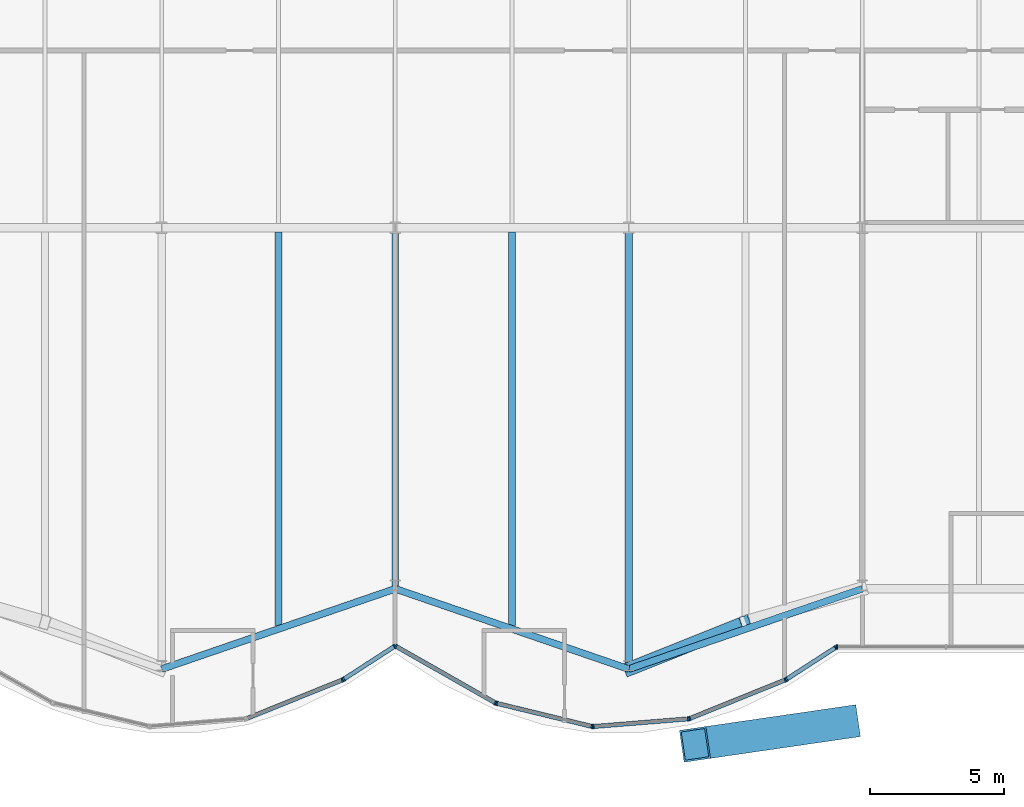
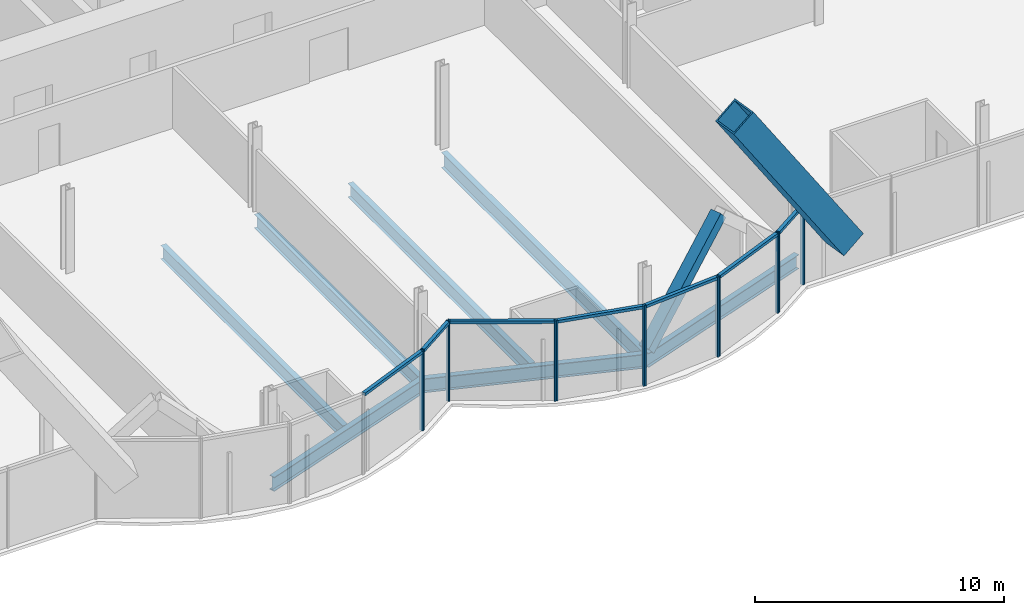
# One storey, part 8 of 23: 23 members, 7 beams, 3 elements without a shape of their own.
"""IFC4 building model written with IfcOpenShell, lengths in metres."""

from ifc_helpers import new_model, si_unit, direction, frame, origin, origin_2d, place, context, subcontext, project, spatial, rectangle, hollow_rectangle, i_section, extrude, material, material_profile, profile_set, type_object, element, aggregate, save


model = new_model("IFC4")

# Units and contexts
model_context = context("Model", 3, precision=1e-05, world=origin(), true_north=direction((0.0, 1.0)))
body_context = subcontext(model_context, "Body", "Model", "MODEL_VIEW")
ifc_project = project(units=[si_unit("LENGTHUNIT", "METRE"), si_unit("AREAUNIT", "SQUARE_METRE"), si_unit("VOLUMEUNIT", "CUBIC_METRE"), si_unit("PLANEANGLEUNIT", "RADIAN"), si_unit("MASSUNIT", "GRAM", prefix="KILO")], contexts=[model_context])

# Site, building, storey
site_placement = place(None, origin())
site = spatial("IfcSite", under=ifc_project, at=site_placement, CompositionType="ELEMENT")
building_placement = place(site_placement, origin())
building = spatial("IfcBuilding", under=site, at=building_placement, Name="Bicima Exchange Tower", CompositionType="ELEMENT")
storey_placement = place(building_placement, frame((0.0, 0.0, 110.39990234375)))
storey = spatial("IfcBuildingStorey", under=building, at=storey_placement, Name="L23", CompositionType="ELEMENT", Elevation=110.39990234375)

# Member
ifc_material_1 = material(Name="Steel ASTM A572 Gr 50", Category="steel")
ifc_material_profile_1 = material_profile(ifc_material_1, hollow_rectangle(XDim=1.199951171875, YDim=1.199951171875, WallThickness=0.070068359375, at=origin_2d()))
ifc_profile_set_1 = profile_set([ifc_material_profile_1], Name="Steel ASTM A572 Gr 50")
member_type_1 = type_object("IfcMemberType", Name="Exo mega brace BOX 1200x1200x70", PredefinedType="BRACE", material=ifc_profile_set_1)
member_1_placement = place(storey_placement, frame((16.75, -40.435302734375, 3.85009765625), z_axis=(-0.551008668038, -0.080112983568, 0.83064514542), x_axis=(0.143880519348, -0.989595066758, 0.0)))
element("IfcMember", 1, at=member_1_placement, inside=storey, type_object=member_type_1, Name="Exo mega brace front", PredefinedType="BRACE", context=body_context, shape_type="SweptSolid", body=[
    extrude(hollow_rectangle(XDim=1.199951171875, YDim=1.199951171875, WallThickness=0.070068359375, at=origin_2d()), origin(), (0.0, 0.0, 1.0), 10.1328125),
])

# Beams
ifc_material_2 = material(Name="Steel ASTM A992 Gr 50", Category="steel")
ifc_material_profile_2 = material_profile(ifc_material_2, i_section(OverallWidth=0.25390625, OverallDepth=0.67822265625, WebThickness=0.01171875, FlangeThickness=0.016357421875, at=origin_2d()))
ifc_profile_set_2 = profile_set([ifc_material_profile_2], Name="Steel ASTM A992 Gr 50")
beam_type_1 = type_object("IfcBeamType", Name="Floor beam W27x84", PredefinedType="JOIST", material=ifc_profile_set_2)
beam_1_placement = place(storey_placement, frame((-4.35009765625, -22.16259765625, -0.489013671875), z_axis=(0.0, -1.0, 0.0), x_axis=(1.0, 0.0, 0.0)))
element("IfcBeam", 2, at=beam_1_placement, inside=storey, type_object=beam_type_1, Name="Floor beam", PredefinedType="JOIST", context=body_context, shape_type="SweptSolid", body=[
    extrude(i_section(OverallWidth=0.25390625, OverallDepth=0.67822265625, WebThickness=0.01171875, FlangeThickness=0.016357421875, at=origin_2d()), origin(), (0.0, 0.0, 1.0), 14.6494140625),
])
beam_2_placement = place(storey_placement, frame((0.0, -22.16259765625, -0.489013671875), z_axis=(0.0, -1.0, 0.0), x_axis=(1.0, 0.0, 0.0)))
element("IfcBeam", 3, at=beam_2_placement, inside=storey, type_object=beam_type_1, Name="Floor beam", PredefinedType="JOIST", context=body_context, shape_type="SweptSolid", body=[
    extrude(i_section(OverallWidth=0.25390625, OverallDepth=0.67822265625, WebThickness=0.01171875, FlangeThickness=0.016357421875, at=origin_2d()), origin(), (0.0, 0.0, 1.0), 13.289306640625),
])
beam_3_placement = place(storey_placement, frame((4.35009765625, -22.16259765625, -0.489013671875), z_axis=(0.0, -1.0, 0.0), x_axis=(1.0, 0.0, 0.0)))
element("IfcBeam", 4, at=beam_3_placement, inside=storey, type_object=beam_type_1, Name="Floor beam", PredefinedType="JOIST", context=body_context, shape_type="SweptSolid", body=[
    extrude(i_section(OverallWidth=0.25390625, OverallDepth=0.67822265625, WebThickness=0.01171875, FlangeThickness=0.016357421875, at=origin_2d()), origin(), (0.0, 0.0, 1.0), 14.6494140625),
])
ifc_material_profile_3 = material_profile(ifc_material_2, i_section(OverallWidth=0.2666015625, OverallDepth=0.75439453125, WebThickness=0.01318359375, FlangeThickness=0.01708984375, at=origin_2d()))
ifc_profile_set_3 = profile_set([ifc_material_profile_3], Name="Steel ASTM A992 Gr 50")
beam_type_2 = type_object("IfcBeamType", Name="Floor beam W30x99", PredefinedType="JOIST", material=ifc_profile_set_3)
beam_4_placement = place(storey_placement, frame((8.699951171875, -22.16259765625, -0.527099609375), z_axis=(0.0, -1.0, 0.0), x_axis=(1.0, 0.0, 0.0)))
element("IfcBeam", 5, at=beam_4_placement, inside=storey, type_object=beam_type_2, Name="Floor beam", PredefinedType="JOIST", context=body_context, shape_type="SweptSolid", body=[
    extrude(i_section(OverallWidth=0.2666015625, OverallDepth=0.75439453125, WebThickness=0.01318359375, FlangeThickness=0.01708984375, at=origin_2d()), origin(), (0.0, 0.0, 1.0), 16.144775390625),
])
ifc_material_profile_4 = material_profile(ifc_material_2, i_section(OverallWidth=0.256591796875, OverallDepth=0.693359375, WebThickness=0.014404296875, FlangeThickness=0.023681640625, at=origin_2d()))
ifc_profile_set_4 = profile_set([ifc_material_profile_4], Name="Steel ASTM A992 Gr 50")
beam_type_3 = type_object("IfcBeamType", Name="Front girder W27x114", PredefinedType="BEAM", material=ifc_profile_set_4)
for number, where, z_axis, x_axis, name in (
    (6, (-8.699951171875, -38.443115234375, -0.49658203125), (0.945666456746, 0.325138359143, 0.0), (-0.325138359143, 0.945666456746, 0.0), "Front girder"),
    (7, (0.0, -35.451904296875, -0.49658203125), (0.945666456746, -0.325138359143, 0.0), (0.325138359143, 0.945666456746, 0.0), "Front girder"),
    (8, (8.699951171875, -38.443115234375, -0.49658203125), (0.945666456746, 0.325138359143, 0.0), (-0.325138359143, 0.945666456746, 0.0), "Front girder"),
):
    element("IfcBeam", number, at=place(storey_placement, frame(where, z_axis=z_axis, x_axis=x_axis)), inside=storey, type_object=beam_type_3, Name=name, PredefinedType="BEAM", context=body_context, shape_type="SweptSolid", body=[
        extrude(i_section(OverallWidth=0.256591796875, OverallDepth=0.693359375, WebThickness=0.014404296875, FlangeThickness=0.023681640625, at=origin_2d()), origin(), (0.0, 0.0, 1.0), 9.19970703125),
    ])

# Curtain wall, members
ifc_material_3 = material(Name="Anodised bronze aluminium", Category="aluminium")
curtain_wall_type = type_object("IfcCurtainWallType", Name="Front glass wall", PredefinedType="NOTDEFINED", material=ifc_material_3)
curtain_wall_1_placement = place(storey_placement, origin())
curtain_wall_1 = element("IfcCurtainWall", 9, at=curtain_wall_1_placement, inside=storey, type_object=curtain_wall_type, Name="Front glass wall L23 run 6", PredefinedType="NOTDEFINED")
ifc_material_profile_5 = material_profile(ifc_material_3, rectangle(XDim=0.159912109375, YDim=0.06005859375, at=origin_2d()))
ifc_profile_set_5 = profile_set([ifc_material_profile_5], Name="Anodised bronze aluminium")
member_type_2 = type_object("IfcMemberType", Name="Front glass wall mullion 60 x 160", PredefinedType="MULLION", material=ifc_profile_set_5)
member_2_placement = place(storey_placement, frame((-1.97412109375, -38.84765625, 0.0), z_axis=(0.0, 0.0, 1.0), x_axis=(-0.374705304, 0.92714396679, 0.0)))
member_2 = element("IfcMember", 10, at=member_2_placement, type_object=member_type_2, Name="Front glass wall mullion 2", PredefinedType="MULLION", context=body_context, shape_type="SweptSolid", body=[
    extrude(rectangle(XDim=0.159912109375, YDim=0.06005859375, at=origin_2d()), origin(), (0.0, 0.0, 1.0), 3.9501953125),
])
member_3_placement = place(storey_placement, frame((-1.921142578125, -38.820068359375, 0.0), z_axis=(0.0, 0.0, 1.0), x_axis=(-0.542897457326, 0.839798994301, 0.0)))
member_3 = element("IfcMember", 11, at=member_3_placement, type_object=member_type_2, Name="Front glass wall mullion 1", PredefinedType="MULLION", context=body_context, shape_type="SweptSolid", body=[
    extrude(rectangle(XDim=0.159912109375, YDim=0.06005859375, at=origin_2d()), origin(), (0.0, 0.0, 1.0), 3.9501953125),
])
member_4_placement = place(storey_placement, frame((-0.025146484375, -37.594482421875, 0.0), z_axis=(0.0, 0.0, 1.0), x_axis=(-0.542897457326, 0.839798994301, 0.0)))
member_4 = element("IfcMember", 12, at=member_4_placement, type_object=member_type_2, Name="Front glass wall mullion 2", PredefinedType="MULLION", context=body_context, shape_type="SweptSolid", body=[
    extrude(rectangle(XDim=0.159912109375, YDim=0.06005859375, at=origin_2d()), origin(), (0.0, 0.0, 1.0), 3.9501953125),
])

curtain_wall_2_placement = place(storey_placement, origin())
curtain_wall_2 = element("IfcCurtainWall", 13, at=curtain_wall_2_placement, inside=storey, type_object=curtain_wall_type, Name="Front glass wall L23 run 11", PredefinedType="NOTDEFINED")
member_5_placement = place(storey_placement, frame((0.026123046875, -37.593017578125, 0.0), z_axis=(0.0, 0.0, 1.0), x_axis=(0.494330311331, 0.869274147378, 0.0)))
member_5 = element("IfcMember", 14, at=member_5_placement, type_object=member_type_2, Name="Front glass wall mullion 1", PredefinedType="MULLION", context=body_context, shape_type="SweptSolid", body=[
    extrude(rectangle(XDim=0.159912109375, YDim=0.06005859375, at=origin_2d()), origin(), (0.0, 0.0, 1.0), 3.9501953125),
])
member_6_placement = place(storey_placement, frame((3.7265625, -39.697509765625, 0.0), z_axis=(0.0, 0.0, 1.0), x_axis=(0.494330311331, 0.869274147378, 0.0)))
member_6 = element("IfcMember", 15, at=member_6_placement, type_object=member_type_2, Name="Front glass wall mullion 2", PredefinedType="MULLION", context=body_context, shape_type="SweptSolid", body=[
    extrude(rectangle(XDim=0.159912109375, YDim=0.06005859375, at=origin_2d()), origin(), (0.0, 0.0, 1.0), 3.9501953125),
])
member_7_placement = place(storey_placement, frame((3.781982421875, -39.71923828125, 0.0), z_axis=(0.0, 0.0, 1.0), x_axis=(0.235681529503, 0.971830343553, 0.0)))
member_7 = element("IfcMember", 16, at=member_7_placement, type_object=member_type_2, Name="Front glass wall mullion 1", PredefinedType="MULLION", context=body_context, shape_type="SweptSolid", body=[
    extrude(rectangle(XDim=0.159912109375, YDim=0.06005859375, at=origin_2d()), origin(), (0.0, 0.0, 1.0), 3.9501953125),
])
member_8_placement = place(storey_placement, frame((7.322509765625, -40.577880859375, 0.0), z_axis=(0.0, 0.0, 1.0), x_axis=(0.235681529503, 0.971830343553, 0.0)))
member_8 = element("IfcMember", 17, at=member_8_placement, type_object=member_type_2, Name="Front glass wall mullion 2", PredefinedType="MULLION", context=body_context, shape_type="SweptSolid", body=[
    extrude(rectangle(XDim=0.159912109375, YDim=0.06005859375, at=origin_2d()), origin(), (0.0, 0.0, 1.0), 3.9501953125),
])
member_9_placement = place(storey_placement, frame((7.381591796875, -40.58251953125, 0.0), z_axis=(0.0, 0.0, 1.0), x_axis=(-0.080588612633, 0.99674744821, 0.0)))
member_9 = element("IfcMember", 18, at=member_9_placement, type_object=member_type_2, Name="Front glass wall mullion 1", PredefinedType="MULLION", context=body_context, shape_type="SweptSolid", body=[
    extrude(rectangle(XDim=0.159912109375, YDim=0.06005859375, at=origin_2d()), origin(), (0.0, 0.0, 1.0), 3.9501953125),
])
member_10_placement = place(storey_placement, frame((10.916015625, -40.296875, 0.0), z_axis=(0.0, 0.0, 1.0), x_axis=(-0.080588612633, 0.99674744821, 0.0)))
member_10 = element("IfcMember", 19, at=member_10_placement, type_object=member_type_2, Name="Front glass wall mullion 2", PredefinedType="MULLION", context=body_context, shape_type="SweptSolid", body=[
    extrude(rectangle(XDim=0.159912109375, YDim=0.06005859375, at=origin_2d()), origin(), (0.0, 0.0, 1.0), 3.9501953125),
])
member_11_placement = place(storey_placement, frame((10.973876953125, -40.283203125, 0.0), z_axis=(0.0, 0.0, 1.0), x_axis=(-0.374705304, 0.92714396679, 0.0)))
member_11 = element("IfcMember", 20, at=member_11_placement, type_object=member_type_2, Name="Front glass wall mullion 1", PredefinedType="MULLION", context=body_context, shape_type="SweptSolid", body=[
    extrude(rectangle(XDim=0.159912109375, YDim=0.06005859375, at=origin_2d()), origin(), (0.0, 0.0, 1.0), 3.9501953125),
])
member_12_placement = place(storey_placement, frame((14.52587890625, -38.84765625, 0.0), z_axis=(0.0, 0.0, 1.0), x_axis=(-0.374705304, 0.92714396679, 0.0)))
member_12 = element("IfcMember", 21, at=member_12_placement, type_object=member_type_2, Name="Front glass wall mullion 2", PredefinedType="MULLION", context=body_context, shape_type="SweptSolid", body=[
    extrude(rectangle(XDim=0.159912109375, YDim=0.06005859375, at=origin_2d()), origin(), (0.0, 0.0, 1.0), 3.9501953125),
])
member_13_placement = place(storey_placement, frame((14.578857421875, -38.820068359375, 0.0), z_axis=(0.0, 0.0, 1.0), x_axis=(-0.542909183079, 0.839791413941, 0.0)))
member_13 = element("IfcMember", 22, at=member_13_placement, type_object=member_type_2, Name="Front glass wall mullion 1", PredefinedType="MULLION", context=body_context, shape_type="SweptSolid", body=[
    extrude(rectangle(XDim=0.159912109375, YDim=0.06005859375, at=origin_2d()), origin(), (0.0, 0.0, 1.0), 3.9501953125),
])
member_14_placement = place(storey_placement, frame((16.406982421875, -37.63818359375, 0.0), z_axis=(0.0, 0.0, 1.0), x_axis=(-0.542909183079, 0.839791413941, 0.0)))
member_14 = element("IfcMember", 23, at=member_14_placement, type_object=member_type_2, Name="Front glass wall mullion 2", PredefinedType="MULLION", context=body_context, shape_type="SweptSolid", body=[
    extrude(rectangle(XDim=0.159912109375, YDim=0.06005859375, at=origin_2d()), origin(), (0.0, 0.0, 1.0), 3.9501953125),
])

# Curtain wall, member
curtain_wall_3_placement = place(storey_placement, origin())
curtain_wall_3 = element("IfcCurtainWall", 24, at=curtain_wall_3_placement, inside=storey, type_object=curtain_wall_type, Name="Front glass wall L23 run 16", PredefinedType="NOTDEFINED")
member_15_placement = place(storey_placement, frame((16.462158203125, -37.6220703125, 0.0), z_axis=(0.0, 0.0, 1.0), x_axis=(0.0, 1.0, 0.0)))
member_15 = element("IfcMember", 25, at=member_15_placement, type_object=member_type_2, Name="Front glass wall mullion 1", PredefinedType="MULLION", context=body_context, shape_type="SweptSolid", body=[
    extrude(rectangle(XDim=0.159912109375, YDim=0.06005859375, at=origin_2d()), origin(), (0.0, 0.0, 1.0), 3.9501953125),
])
aggregate(curtain_wall_3, [member_15])

# Member
ifc_material_profile_6 = material_profile(ifc_material_3, rectangle(XDim=0.159912109375, YDim=0.139892578125, at=origin_2d()))
ifc_profile_set_6 = profile_set([ifc_material_profile_6], Name="Anodised bronze aluminium")
member_type_3 = type_object("IfcMemberType", Name="Front glass wall transom 140 x 160", PredefinedType="USERDEFINED", material=ifc_profile_set_6)
member_16_placement = place(storey_placement, frame((-5.498291015625, -40.27197265625, 3.880126953125), z_axis=(0.927140215882, 0.374714584842, 0.0), x_axis=(-0.374714584842, 0.927140215882, 0.0)))
member_16 = element("IfcMember", 26, at=member_16_placement, type_object=member_type_3, Name="Front glass wall transom 1.1", ObjectType="TRANSOM", PredefinedType="USERDEFINED", context=body_context, shape_type="SweptSolid", body=[
    extrude(rectangle(XDim=0.159912109375, YDim=0.139892578125, at=origin_2d()), origin(), (0.0, 0.0, 1.0), 3.77099609375),
])

member_17_placement = place(storey_placement, frame((-1.89599609375, -38.8037109375, 3.880126953125), z_axis=(0.839811483481, 0.542878137536, 0.0), x_axis=(-0.542878137536, 0.839811483481, 0.0)))
member_17 = element("IfcMember", 27, at=member_17_placement, type_object=member_type_3, Name="Front glass wall transom 1.1", ObjectType="TRANSOM", PredefinedType="USERDEFINED", context=body_context, shape_type="SweptSolid", body=[
    extrude(rectangle(XDim=0.159912109375, YDim=0.139892578125, at=origin_2d()), origin(), (0.0, 0.0, 1.0), 2.19775390625),
])

aggregate(curtain_wall_1, [member_2, member_16, member_3, member_4, member_17])

member_18_placement = place(storey_placement, frame((0.05224609375, -37.60791015625, 3.880126953125), z_axis=(0.869265121745, -0.494346182466, 0.0), x_axis=(0.494346182466, 0.869265121745, 0.0)))
member_18 = element("IfcMember", 28, at=member_18_placement, type_object=member_type_3, Name="Front glass wall transom 1.1", ObjectType="TRANSOM", PredefinedType="USERDEFINED", context=body_context, shape_type="SweptSolid", body=[
    extrude(rectangle(XDim=0.159912109375, YDim=0.139892578125, at=origin_2d()), origin(), (0.0, 0.0, 1.0), 4.19677734375),
])

member_19_placement = place(storey_placement, frame((3.81103515625, -39.726318359375, 3.880126953125), z_axis=(0.971833557815, -0.235668275132, 0.0), x_axis=(0.235668275132, 0.971833557815, 0.0)))
member_19 = element("IfcMember", 29, at=member_19_placement, type_object=member_type_3, Name="Front glass wall transom 1.1", ObjectType="TRANSOM", PredefinedType="USERDEFINED", context=body_context, shape_type="SweptSolid", body=[
    extrude(rectangle(XDim=0.159912109375, YDim=0.139892578125, at=origin_2d()), origin(), (0.0, 0.0, 1.0), 3.583251953125),
])

member_20_placement = place(storey_placement, frame((7.41162109375, -40.580078125, 3.880126953125), z_axis=(0.996751271357, 0.08054131268, 0.0), x_axis=(-0.08054131268, 0.996751271357, 0.0)))
member_20 = element("IfcMember", 30, at=member_20_placement, type_object=member_type_3, Name="Front glass wall transom 1.1", ObjectType="TRANSOM", PredefinedType="USERDEFINED", context=body_context, shape_type="SweptSolid", body=[
    extrude(rectangle(XDim=0.159912109375, YDim=0.139892578125, at=origin_2d()), origin(), (0.0, 0.0, 1.0), 3.48583984375),
])

member_21_placement = place(storey_placement, frame((11.001708984375, -40.27197265625, 3.880126953125), z_axis=(0.927140215882, 0.374714584842, 0.0), x_axis=(-0.374714584842, 0.927140215882, 0.0)))
member_21 = element("IfcMember", 31, at=member_21_placement, type_object=member_type_3, Name="Front glass wall transom 1.1", ObjectType="TRANSOM", PredefinedType="USERDEFINED", context=body_context, shape_type="SweptSolid", body=[
    extrude(rectangle(XDim=0.159912109375, YDim=0.139892578125, at=origin_2d()), origin(), (0.0, 0.0, 1.0), 3.77099609375),
])

member_22_placement = place(storey_placement, frame((14.60400390625, -38.8037109375, 3.880126953125), z_axis=(0.839792890287, 0.542906899407, 0.0), x_axis=(-0.542906899407, 0.839792890287, 0.0)))
member_22 = element("IfcMember", 32, at=member_22_placement, type_object=member_type_3, Name="Front glass wall transom 1.1", ObjectType="TRANSOM", PredefinedType="USERDEFINED", context=body_context, shape_type="SweptSolid", body=[
    extrude(rectangle(XDim=0.159912109375, YDim=0.139892578125, at=origin_2d()), origin(), (0.0, 0.0, 1.0), 2.11669921875),
])

aggregate(curtain_wall_2, [member_5, member_6, member_18, member_7, member_8, member_19, member_9, member_10, member_20, member_11, member_12, member_21, member_13, member_14, member_22])

ifc_material_profile_7 = material_profile(ifc_material_1, hollow_rectangle(XDim=0.508056640625, YDim=0.508056640625, WallThickness=0.0146484375, at=origin_2d()))
ifc_profile_set_7 = profile_set([ifc_material_profile_7], Name="Steel ASTM A572 Gr 50")
member_type_4 = type_object("IfcMemberType", Name="Mega brace HSS20x20x5/8", PredefinedType="BRACE", material=ifc_profile_set_7)
member_23_placement = place(storey_placement, frame((8.699951171875, -38.443115234375, 0.0), z_axis=(0.698726194273, 0.279404205533, 0.658570417926), x_axis=(-0.371291842786, 0.928516218211, 0.0)))
element("IfcMember", 33, at=member_23_placement, inside=storey, type_object=member_type_4, Name="Mega brace front", PredefinedType="BRACE", context=body_context, shape_type="SweptSolid", body=[
    extrude(hollow_rectangle(XDim=0.508056640625, YDim=0.508056640625, WallThickness=0.0146484375, at=origin_2d()), origin(), (0.0, 0.0, 1.0), 6.225830078125),
])

save(model, "model.ifc")
